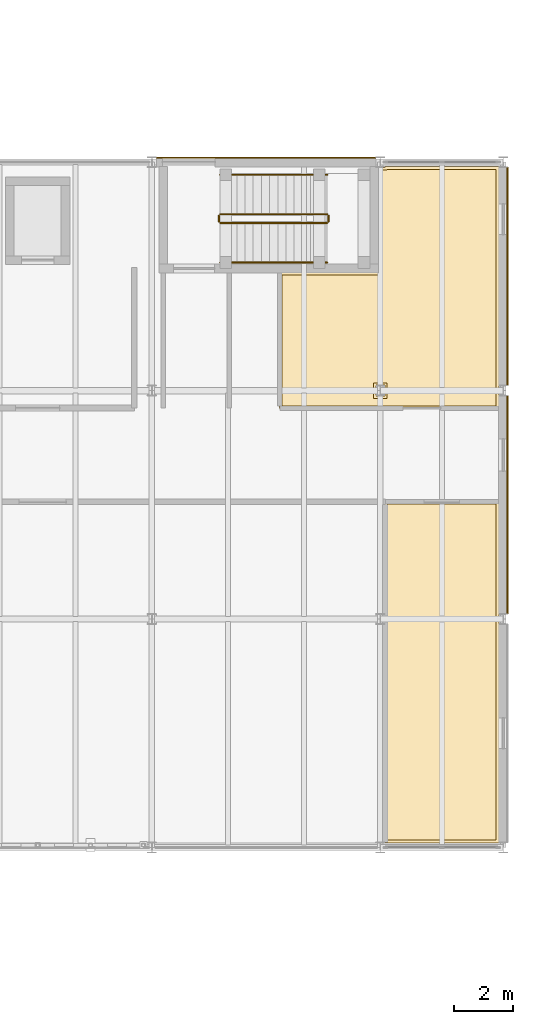
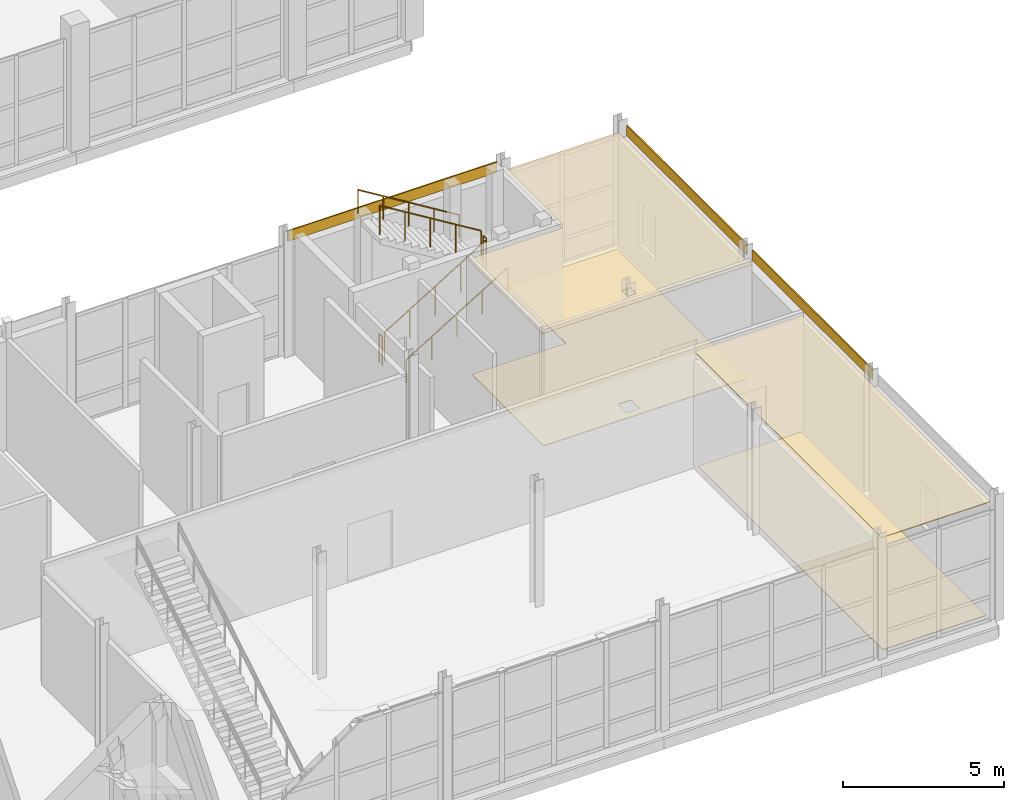
# One storey, part 128 of 131: 7 coverings, 6 railings.
"""IFC4 building model written with IfcOpenShell, lengths in metres."""

from ifc_helpers import new_model, si_unit, direction, frame, origin, origin_2d, place, context, subcontext, project, spatial, polyline, rectangle, circle, outline, extrude, material, layer, layer_set, type_object, element, save


model = new_model("IFC4")

# Units and contexts
model_context = context("Model", 3, precision=1e-05, world=origin(), true_north=direction((0.0, 1.0)))
body_context = subcontext(model_context, "Body", "Model", "MODEL_VIEW")
ifc_project = project(units=[si_unit("LENGTHUNIT", "METRE"), si_unit("AREAUNIT", "SQUARE_METRE"), si_unit("VOLUMEUNIT", "CUBIC_METRE"), si_unit("PLANEANGLEUNIT", "RADIAN"), si_unit("MASSUNIT", "GRAM", prefix="KILO")], contexts=[model_context])

# Site, building, storey
site_placement = place(None, origin())
site = spatial("IfcSite", under=ifc_project, at=site_placement, CompositionType="ELEMENT")
building_placement = place(site_placement, origin())
building = spatial("IfcBuilding", under=site, at=building_placement, Name="Celorna Specialist Clinic", CompositionType="ELEMENT")
storey_placement = place(building_placement, origin())
storey = spatial("IfcBuildingStorey", under=building, at=storey_placement, Name="L00", CompositionType="ELEMENT", Elevation=0.0)

# Coverings
ifc_material_1 = material(Name="Hygienic acoustic mineral-fibre ceiling")
ifc_layer_1 = layer(ifc_material_1, 0.030029296875, Name="Hygienic acoustic mineral-fibre ceiling")
ifc_layer_set_1 = layer_set([ifc_layer_1], Name="Hygienic acoustic mineral-fibre ceiling")
covering_type_1 = type_object("IfcCoveringType", Name="CE-01", PredefinedType="CEILING", material=ifc_layer_set_1)
covering_1_placement = place(storey_placement, frame((0.0, 0.0, 4.330078125)))
element("IfcCovering", 1, at=covering_1_placement, inside=storey, type_object=covering_type_1, Name="Acoustic ceiling L00-041", PredefinedType="CEILING", context=body_context, shape_type="SweptSolid", body=[
    extrude(outline(polyline([(167.844970703125, 71.81494140625), (167.844970703125, 67.985107421875), (167.844970703125, 67.614990234375), (167.844970703125, 60.18505859375), (167.844970703125, 60.155029296875), (163.955078125, 60.155029296875), (163.955078125, 60.18505859375), (163.955078125, 60.18505859375), (163.955078125, 67.614990234375), (163.955078125, 67.614990234375), (163.955078125, 67.985107421875), (163.955078125, 67.985107421875), (163.955078125, 71.81494140625), (167.844970703125, 71.81494140625)])), origin(), (0.0, 0.0, 1.0), 0.030029296875),
])
covering_2_placement = place(storey_placement, frame((0.0, 0.0, 4.330078125)))
element("IfcCovering", 2, at=covering_2_placement, inside=storey, type_object=covering_type_1, Name="Acoustic ceiling L00-045", PredefinedType="CEILING", context=body_context, shape_type="SweptSolid", body=[
    extrude(outline(polyline([(167.844970703125, 83.2451171875), (167.844970703125, 83.215087890625), (167.844970703125, 75.784912109375), (167.844970703125, 75.4150390625), (167.844970703125, 74.985107421875), (160.35498046875, 74.985107421875), (160.35498046875, 79.635009765625), (163.72509765625, 79.635009765625), (163.72509765625, 83.215087890625), (163.955078125, 83.215087890625), (163.955078125, 83.2451171875), (167.844970703125, 83.2451171875)]), holes=[polyline([(163.955078125, 75.4150390625), (163.955078125, 75.784912109375), (163.64501953125, 75.784912109375), (163.64501953125, 75.4150390625), (163.955078125, 75.4150390625)])]), origin(), (0.0, 0.0, 1.0), 0.030029296875),
])
ifc_material_2 = material(Name="Pero Pinheiro Lioz limestone rainscreen cladding", Category="masonry")
ifc_layer_2 = layer(ifc_material_2, 0.044921875, Name="Pero Pinheiro Lioz limestone rainscreen cladding")
ifc_layer_set_2 = layer_set([ifc_layer_2], Name="Pero Pinheiro Lioz limestone rainscreen cladding")
covering_type_2 = type_object("IfcCoveringType", Name="CL-01", PredefinedType="CLADDING", material=ifc_layer_set_2)
covering_3_placement = place(storey_placement, frame((159.89990234375, 83.547607421875, 4.14013671875), z_axis=(0.0, 0.0, 1.0), x_axis=(1.0, 0.0, 0.0)))
element("IfcCovering", 3, at=covering_3_placement, inside=storey, type_object=covering_type_2, Name="Lioz spandrel cladding #145", PredefinedType="CLADDING", context=body_context, shape_type="SweptSolid", body=[
    extrude(rectangle(XDim=7.5, YDim=0.044921875, at=origin_2d()), origin(), (0.0, 0.0, 1.0), 0.39990234375),
])
for number, where, z_axis, x_axis, name in (
    (4, (168.1474609375, 71.699951171875, 4.14013671875), (0.0, 0.0, 1.0), (0.0, -1.0, 0.0), "Lioz spandrel cladding #148"),
    (5, (168.1474609375, 79.5, 4.14013671875), (0.0, 0.0, 1.0), (0.0, -1.0, 0.0), "Lioz spandrel cladding #149"),
):
    element("IfcCovering", number, at=place(storey_placement, frame(where, z_axis=z_axis, x_axis=x_axis)), inside=storey, type_object=covering_type_2, Name=name, PredefinedType="CLADDING", context=body_context, shape_type="SweptSolid", body=[
        extrude(rectangle(XDim=7.43994140625, YDim=0.044921875, at=origin_2d()), origin(), (0.0, 0.0, 1.0), 0.39990234375),
    ])
ifc_material_3 = material(Name="Seamless antimicrobial clinical vinyl and Lioz terrazzo flooring")
ifc_layer_3 = layer(ifc_material_3, 0.02001953125, Name="Seamless antimicrobial clinical vinyl and Lioz terrazzo flooring")
ifc_layer_set_3 = layer_set([ifc_layer_3], Name="Seamless antimicrobial clinical vinyl and Lioz terrazzo flooring")
covering_type_3 = type_object("IfcCoveringType", Name="FL-01", PredefinedType="FLOORING", material=ifc_layer_set_3)
covering_4_placement = place(storey_placement, origin())
element("IfcCovering", 6, at=covering_4_placement, inside=storey, type_object=covering_type_3, Name="Antimicrobial clinical flooring L00-041", PredefinedType="FLOORING", context=body_context, shape_type="SweptSolid", body=[
    extrude(outline(polyline([(164.044921875, 71.72509765625), (167.7548828125, 71.72509765625), (167.7548828125, 60.2451171875), (164.044921875, 60.2451171875), (164.044921875, 71.72509765625)])), origin(), (0.0, 0.0, 1.0), 0.02001953125),
])
covering_5_placement = place(storey_placement, origin())
element("IfcCovering", 7, at=covering_5_placement, inside=storey, type_object=covering_type_3, Name="Antimicrobial clinical flooring L00-045", PredefinedType="FLOORING", context=body_context, shape_type="SweptSolid", body=[
    extrude(outline(polyline([(164.034912109375, 83.155029296875), (167.7548828125, 83.155029296875), (167.7548828125, 75.074951171875), (160.445068359375, 75.074951171875), (160.445068359375, 79.544921875), (163.81494140625, 79.544921875), (163.81494140625, 83.135009765625), (164.034912109375, 83.135009765625), (164.034912109375, 83.155029296875)]), holes=[polyline([(164.034912109375, 75.3349609375), (164.034912109375, 75.864990234375), (163.56494140625, 75.864990234375), (163.56494140625, 75.3349609375), (164.034912109375, 75.3349609375)])]), origin(), (0.0, 0.0, 1.0), 0.02001953125),
])

# Railings
ifc_material_4 = material(Name="Powder-coated steel S355", Category="steel")
railing_type_1 = type_object("IfcRailingType", Name="GR-01", PredefinedType="GUARDRAIL", material=ifc_material_4)
railing_1_placement = place(storey_placement, frame((158.340087890625, 81.320068359375, 0.17138671875)))
element("IfcRailing", 8, at=railing_1_placement, inside=storey, type_object=railing_type_1, Name="L00 ST-12 stair guard 1", PredefinedType="GUARDRAIL", context=body_context, shape_type="SweptSolid", body=[
    extrude(circle(Radius=0.02392578125, at=origin_2d()), frame((0.0, 0.0, 1.09619140625), z_axis=(0.852850264322, 0.0, 0.5221555579), x_axis=(0.0, 1.0, 0.0)), (0.0, 0.0, 1.0), 4.267822265625),
    extrude(circle(Radius=0.02099609375, at=origin_2d()), origin(), (0.0, 0.0, 1.0), 1.072021484375),
    extrude(circle(Radius=0.02099609375, at=origin_2d()), frame((0.909912109375, 0.0, 0.55712890625)), (0.0, 0.0, 1.0), 1.072021484375),
    extrude(circle(Radius=0.02099609375, at=origin_2d()), frame((1.81982421875, 0.0, 1.1142578125)), (0.0, 0.0, 1.0), 1.072021484375),
    extrude(circle(Radius=0.02099609375, at=origin_2d()), frame((2.72998046875, 0.0, 1.67138671875)), (0.0, 0.0, 1.0), 1.072021484375),
    extrude(circle(Radius=0.02099609375, at=origin_2d()), frame((3.639892578125, 0.0, 2.228515625)), (0.0, 0.0, 1.0), 1.072021484375),
])
railing_2_placement = place(storey_placement, frame((162.030029296875, 81.3701171875, 2.39990234375)))
element("IfcRailing", 9, at=railing_2_placement, inside=storey, type_object=railing_type_1, Name="L00 ST-12 stair guard 2", PredefinedType="GUARDRAIL", context=body_context, shape_type="SweptSolid", body=[
    extrude(circle(Radius=0.02392578125, at=origin_2d()), frame((0.0, 0.0, 1.09619140625), z_axis=(0.0, 1.0, 0.0), x_axis=(-1.0, 0.0, 0.0)), (0.0, 0.0, 1.0), 0.199951171875),
    extrude(circle(Radius=0.02099609375, at=origin_2d()), origin(), (0.0, 0.0, 1.0), 1.072021484375),
    extrude(circle(Radius=0.02099609375, at=origin_2d()), frame((0.0, 0.199951171875, 0.0)), (0.0, 0.0, 1.0), 1.072021484375),
])
railing_3_placement = place(storey_placement, frame((161.97998046875, 81.6201171875, 2.571533203125)))
element("IfcRailing", 10, at=railing_3_placement, inside=storey, type_object=railing_type_1, Name="L00 ST-12 stair guard 3", PredefinedType="GUARDRAIL", context=body_context, shape_type="SweptSolid", body=[
    extrude(circle(Radius=0.02392578125, at=origin_2d()), frame((0.0, 0.0, 1.09619140625), z_axis=(-0.852850264322, 0.0, 0.5221555579), x_axis=(0.0, -1.0, 0.0)), (0.0, 0.0, 1.0), 4.267822265625),
    extrude(circle(Radius=0.02099609375, at=origin_2d()), origin(), (0.0, 0.0, 1.0), 1.072021484375),
    extrude(circle(Radius=0.02099609375, at=origin_2d()), frame((-0.909912109375, 0.0, 0.55712890625)), (0.0, 0.0, 1.0), 1.072021484375),
    extrude(circle(Radius=0.02099609375, at=origin_2d()), frame((-1.81982421875, 0.0, 1.1142578125)), (0.0, 0.0, 1.0), 1.072021484375),
    extrude(circle(Radius=0.02099609375, at=origin_2d()), frame((-2.72998046875, 0.0, 1.67138671875)), (0.0, 0.0, 1.0), 1.072021484375),
    extrude(circle(Radius=0.02099609375, at=origin_2d()), frame((-3.639892578125, 0.0, 2.228515625)), (0.0, 0.0, 1.0), 1.072021484375),
])
railing_4_placement = place(storey_placement, frame((158.2900390625, 81.3701171875, 0.0)))
element("IfcRailing", 11, at=railing_4_placement, inside=storey, type_object=railing_type_1, Name="L00 ST-12 stair guard 4", PredefinedType="GUARDRAIL", context=body_context, shape_type="SweptSolid", body=[
    extrude(circle(Radius=0.02392578125, at=origin_2d()), frame((0.0, 0.0, 1.09619140625), z_axis=(0.0, 1.0, 0.0), x_axis=(-1.0, 0.0, 0.0)), (0.0, 0.0, 1.0), 0.199951171875),
    extrude(circle(Radius=0.02099609375, at=origin_2d()), origin(), (0.0, 0.0, 1.0), 1.072021484375),
    extrude(circle(Radius=0.02099609375, at=origin_2d()), frame((0.0, 0.199951171875, 0.0)), (0.0, 0.0, 1.0), 1.072021484375),
])
ifc_material_5 = material(Name="Brushed stainless steel handrail", Category="steel")
railing_type_2 = type_object("IfcRailingType", Name="HR-01", PredefinedType="HANDRAIL", material=ifc_material_5)
railing_5_placement = place(storey_placement, frame((158.340087890625, 79.969970703125, 0.17138671875)))
element("IfcRailing", 12, at=railing_5_placement, inside=storey, type_object=railing_type_2, Name="L00 ST-12 stair handrail 1", PredefinedType="HANDRAIL", context=body_context, shape_type="SweptSolid", body=[
    extrude(circle(Radius=0.02392578125, at=origin_2d()), frame((0.0, 0.0, 0.8759765625), z_axis=(0.852850264322, 0.0, 0.5221555579), x_axis=(0.0, 1.0, 0.0)), (0.0, 0.0, 1.0), 4.267822265625),
    extrude(circle(Radius=0.02099609375, at=origin_2d()), origin(), (0.0, 0.0, 1.0), 0.851806640625),
    extrude(circle(Radius=0.02099609375, at=origin_2d()), frame((0.909912109375, 0.0, 0.55712890625)), (0.0, 0.0, 1.0), 0.851806640625),
    extrude(circle(Radius=0.02099609375, at=origin_2d()), frame((1.81982421875, 0.0, 1.1142578125)), (0.0, 0.0, 1.0), 0.851806640625),
    extrude(circle(Radius=0.02099609375, at=origin_2d()), frame((2.72998046875, 0.0, 1.67138671875)), (0.0, 0.0, 1.0), 0.851806640625),
    extrude(circle(Radius=0.02099609375, at=origin_2d()), frame((3.639892578125, 0.0, 2.228515625)), (0.0, 0.0, 1.0), 0.851806640625),
])
railing_6_placement = place(storey_placement, frame((161.97998046875, 82.969970703125, 2.571533203125)))
element("IfcRailing", 13, at=railing_6_placement, inside=storey, type_object=railing_type_2, Name="L00 ST-12 stair handrail 2", PredefinedType="HANDRAIL", context=body_context, shape_type="SweptSolid", body=[
    extrude(circle(Radius=0.02392578125, at=origin_2d()), frame((0.0, 0.0, 0.8759765625), z_axis=(-0.852850264322, 0.0, 0.5221555579), x_axis=(0.0, -1.0, 0.0)), (0.0, 0.0, 1.0), 4.267822265625),
    extrude(circle(Radius=0.02099609375, at=origin_2d()), origin(), (0.0, 0.0, 1.0), 0.851806640625),
    extrude(circle(Radius=0.02099609375, at=origin_2d()), frame((-0.909912109375, 0.0, 0.55712890625)), (0.0, 0.0, 1.0), 0.851806640625),
    extrude(circle(Radius=0.02099609375, at=origin_2d()), frame((-1.81982421875, 0.0, 1.1142578125)), (0.0, 0.0, 1.0), 0.851806640625),
    extrude(circle(Radius=0.02099609375, at=origin_2d()), frame((-2.72998046875, 0.0, 1.67138671875)), (0.0, 0.0, 1.0), 0.851806640625),
    extrude(circle(Radius=0.02099609375, at=origin_2d()), frame((-3.639892578125, 0.0, 2.228515625)), (0.0, 0.0, 1.0), 0.851806640625),
])

save(model, "model.ifc")
